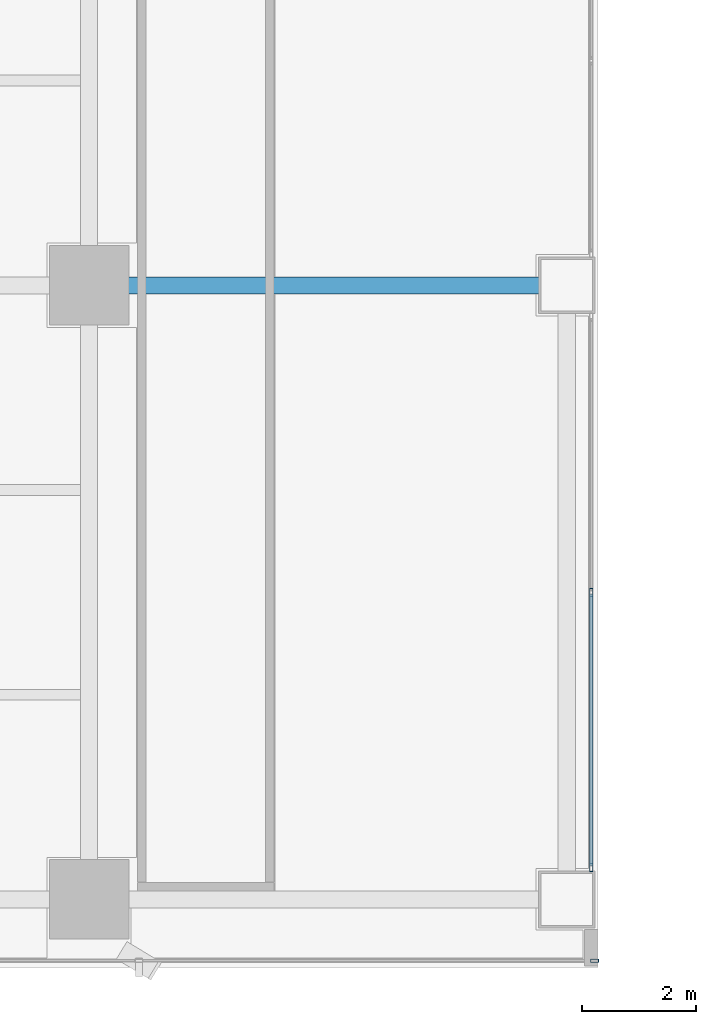
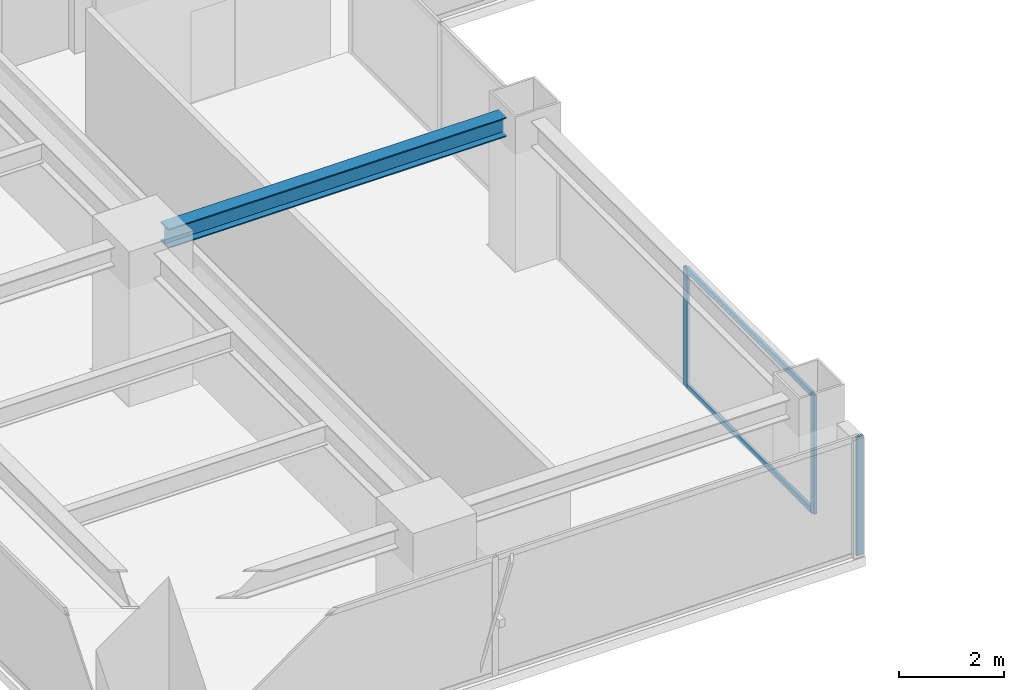
# One storey, part 5 of 29: 5 members, 1 beam, 2 elements without a shape of their own.
"""IFC4 building model written with IfcOpenShell, lengths in metres."""

from ifc_helpers import new_model, si_unit, direction, frame, origin, origin_2d, place, context, subcontext, project, spatial, hollow_rectangle, i_section, extrude, source, transform, mapped, material, layer, layer_set, material_profile, profile_set, type_object, element, aggregate, save


model = new_model("IFC4")

# Units and contexts
model_context = context("Model", 3, precision=1e-05, world=origin(), true_north=direction((0.0, 1.0)))
body_context = subcontext(model_context, "Body", "Model", "MODEL_VIEW")
ifc_project = project(units=[si_unit("LENGTHUNIT", "METRE"), si_unit("AREAUNIT", "SQUARE_METRE"), si_unit("VOLUMEUNIT", "CUBIC_METRE"), si_unit("PLANEANGLEUNIT", "RADIAN"), si_unit("MASSUNIT", "GRAM", prefix="KILO")], contexts=[model_context])

# Site, building, storey
site_placement = place(None, origin())
site = spatial("IfcSite", under=ifc_project, at=site_placement, CompositionType="ELEMENT")
building_placement = place(site_placement, origin())
building = spatial("IfcBuilding", under=site, at=building_placement, Name="Sumidabori Civic Tower", CompositionType="ELEMENT")
storey_placement = place(building_placement, frame((0.0, 0.0, 207.199951171875)))
storey = spatial("IfcBuildingStorey", under=building, at=storey_placement, Name="L53", CompositionType="ELEMENT", Elevation=207.199951171875)

# Beam
ifc_material_1 = material(Name="Steel SN490", Category="steel")
ifc_material_profile_1 = material_profile(ifc_material_1, i_section(OverallWidth=0.300048828125, OverallDepth=0.449951171875, WebThickness=0.013916015625, FlangeThickness=0.02587890625, at=origin_2d()), Name="HE 450 B")
ifc_profile_set_1 = profile_set([ifc_material_profile_1], Name="Steel SN490")
beam_type = type_object("IfcBeamType", Name="BM-GIRD-450", PredefinedType="BEAM", material=ifc_profile_set_1)
shared_shape_1 = source(origin(), body_context, "Body", "SweptSolid", [
    extrude(i_section(OverallWidth=0.300048828125, OverallDepth=0.449951171875, WebThickness=0.013916015625, FlangeThickness=0.02587890625, at=origin_2d()), origin(), (0.0, 0.0, 1.0), 7.440185546875),
])
beam_placement = place(storey_placement, frame((-16.320068359375, 0.0, 3.155029296875), z_axis=(1.0, 0.0, 0.0), x_axis=(0.0, 1.0, 0.0)))
element("IfcBeam", 1, at=beam_placement, inside=storey, type_object=beam_type, Name="Primary Girder L53 GX-06", PredefinedType="BEAM", context=body_context, shape_type="MappedRepresentation", body=[
    mapped(shared_shape_1, transform((0.0, 0.0, 0.0), x_axis=(1.0, 0.0, 0.0), y_axis=(0.0, 1.0, 0.0), z_axis=(0.0, 0.0, 1.0), scale=1.0)),
])

# Curtain wall, member
ifc_material_2 = material(Name="Anodised Bronze Aluminium AW-6063-T6", Category="aluminium")
ifc_layer_1 = layer(ifc_material_2, 0.179931640625, Name="Anodised Bronze Aluminium AW-6063-T6")
ifc_layer_set_1 = layer_set([ifc_layer_1], Name="Anodised Bronze Aluminium AW-6063-T6")
curtain_wall_type_1 = type_object("IfcCurtainWallType", Name="CW-SYS-5", PredefinedType="NOTDEFINED", material=ifc_layer_set_1)
curtain_wall_1_placement = place(storey_placement, origin())
curtain_wall_1 = element("IfcCurtainWall", 2, at=curtain_wall_1_placement, inside=storey, type_object=curtain_wall_type_1, Name="Curtain Wall CW:L53:R01", PredefinedType="NOTDEFINED")
ifc_material_profile_2 = material_profile(ifc_material_2, hollow_rectangle(XDim=0.06005859375, YDim=0.139892578125, WallThickness=0.0048828125, at=origin_2d()), Name="ALU MULLION 140x60")
ifc_profile_set_2 = profile_set([ifc_material_profile_2], Name="Anodised Bronze Aluminium AW-6063-T6")
member_type_1 = type_object("IfcMemberType", Name="CW-MUL-140", PredefinedType="MULLION", material=ifc_profile_set_2)
shared_shape_2 = source(origin(), body_context, "Body", "SweptSolid", [
    extrude(hollow_rectangle(XDim=0.06005859375, YDim=0.139892578125, WallThickness=0.0048828125, at=origin_2d()), origin(), (0.0, 0.0, 1.0), 2.760009765625),
])
member_1_placement = place(storey_placement, frame((-7.909912109375, -11.8798828125, 0.0), z_axis=(0.0, 0.0, 1.0), x_axis=(0.0, 1.0, 0.0)))
member_1 = element("IfcMember", 3, at=member_1_placement, type_object=member_type_1, Name="CW-5 mullion 3", PredefinedType="MULLION", context=body_context, shape_type="MappedRepresentation", body=[
    mapped(shared_shape_2, transform((0.0, 0.0, 0.0), x_axis=(1.0, 0.0, 0.0), y_axis=(0.0, 1.0, 0.0), z_axis=(0.0, 0.0, 1.0), scale=1.0)),
])
aggregate(curtain_wall_1, [member_1])

# Curtain wall, members
ifc_layer_2 = layer(ifc_material_2, 0.179931640625, Name="Anodised Bronze Aluminium AW-6063-T6")
ifc_layer_set_2 = layer_set([ifc_layer_2], Name="Anodised Bronze Aluminium AW-6063-T6")
curtain_wall_type_2 = type_object("IfcCurtainWallType", Name="CW-SYS-4", PredefinedType="NOTDEFINED", material=ifc_layer_set_2)
curtain_wall_2_placement = place(storey_placement, origin())
curtain_wall_2 = element("IfcCurtainWall", 4, at=curtain_wall_2_placement, inside=storey, type_object=curtain_wall_type_2, Name="Curtain Wall CW:L53:R03", PredefinedType="NOTDEFINED")
member_2_placement = place(storey_placement, frame((-7.969970703125, -10.239990234375, 0.0), z_axis=(0.0, 0.0, 1.0), x_axis=(-1.0, 0.0, 0.0)))
member_2 = element("IfcMember", 5, at=member_2_placement, type_object=member_type_1, Name="CW-4 mullion 1", PredefinedType="MULLION", context=body_context, shape_type="MappedRepresentation", body=[
    mapped(shared_shape_2, transform((0.0, 0.0, 0.0), x_axis=(1.0, 0.0, 0.0), y_axis=(0.0, 1.0, 0.0), z_axis=(0.0, 0.0, 1.0), scale=1.0)),
])
member_3_placement = place(storey_placement, frame((-7.969970703125, -5.39990234375, 0.0), z_axis=(0.0, 0.0, 1.0), x_axis=(-1.0, 0.0, 0.0)))
member_3 = element("IfcMember", 6, at=member_3_placement, type_object=member_type_1, Name="CW-4 mullion 2", PredefinedType="MULLION", context=body_context, shape_type="MappedRepresentation", body=[
    mapped(shared_shape_2, transform((0.0, 0.0, 0.0), x_axis=(1.0, 0.0, 0.0), y_axis=(0.0, 1.0, 0.0), z_axis=(0.0, 0.0, 1.0), scale=1.0)),
])
ifc_material_profile_3 = material_profile(ifc_material_2, hollow_rectangle(XDim=0.06005859375, YDim=0.1298828125, WallThickness=0.0048828125, at=origin_2d()), Name="ALU TRANSOM 130x60")
ifc_profile_set_3 = profile_set([ifc_material_profile_3], Name="Anodised Bronze Aluminium AW-6063-T6")
member_type_2 = type_object("IfcMemberType", Name="CW-TRN-130", PredefinedType="USERDEFINED", material=ifc_profile_set_3)
shared_shape_3 = source(origin(), body_context, "Body", "SweptSolid", [
    extrude(hollow_rectangle(XDim=0.06005859375, YDim=0.1298828125, WallThickness=0.0048828125, at=origin_2d()), origin(), (0.0, 0.0, 1.0), 4.780029296875),
])
member_4_placement = place(storey_placement, frame((-7.969970703125, -10.2099609375, 0.030029296875), z_axis=(0.0, 1.0, 0.0), x_axis=(-1.0, 0.0, 0.0)))
member_4 = element("IfcMember", 7, at=member_4_placement, type_object=member_type_2, Name="CW-4 transom 1.1", ObjectType="TRANSOM", PredefinedType="USERDEFINED", context=body_context, shape_type="MappedRepresentation", body=[
    mapped(shared_shape_3, transform((0.0, 0.0, 0.0), x_axis=(1.0, 0.0, 0.0), y_axis=(0.0, 1.0, 0.0), z_axis=(0.0, 0.0, 1.0), scale=1.0)),
])
member_5_placement = place(storey_placement, frame((-7.969970703125, -10.2099609375, 2.72998046875), z_axis=(0.0, 1.0, 0.0), x_axis=(-1.0, 0.0, 0.0)))
member_5 = element("IfcMember", 8, at=member_5_placement, type_object=member_type_2, Name="CW-4 transom 1.2", ObjectType="TRANSOM", PredefinedType="USERDEFINED", context=body_context, shape_type="MappedRepresentation", body=[
    mapped(shared_shape_3, transform((0.0, 0.0, 0.0), x_axis=(1.0, 0.0, 0.0), y_axis=(0.0, 1.0, 0.0), z_axis=(0.0, 0.0, 1.0), scale=1.0)),
])
aggregate(curtain_wall_2, [member_2, member_3, member_4, member_5])

save(model, "model.ifc")
